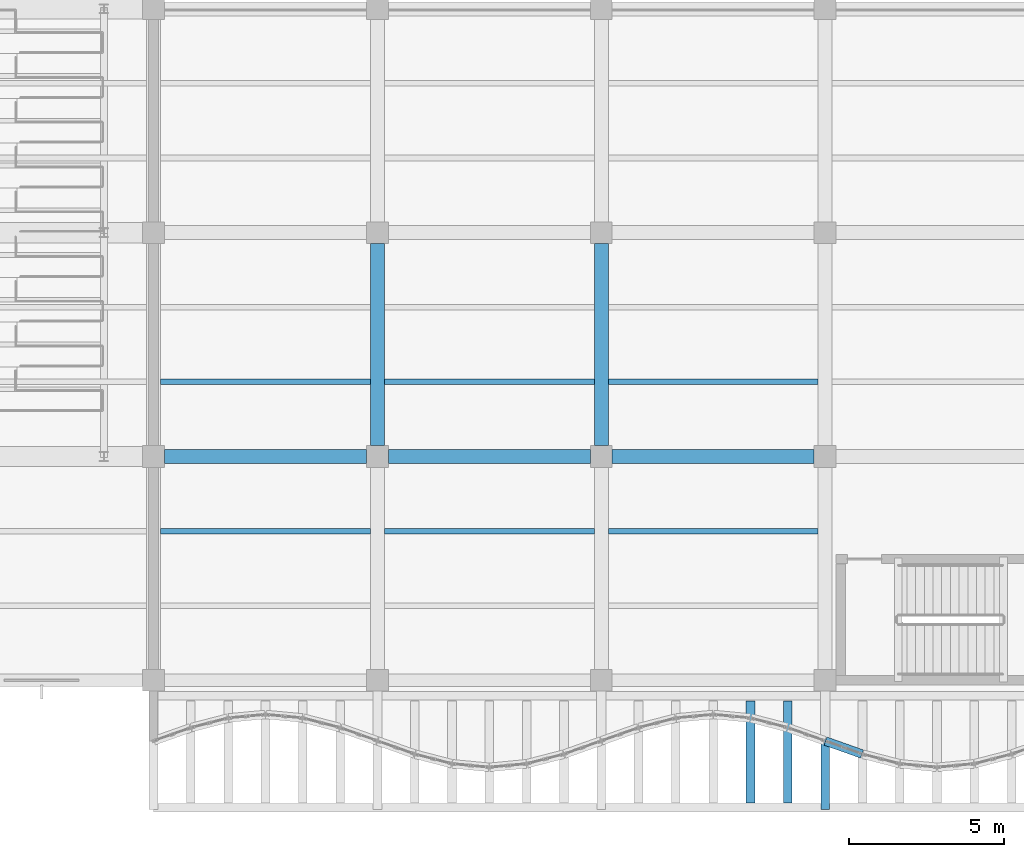
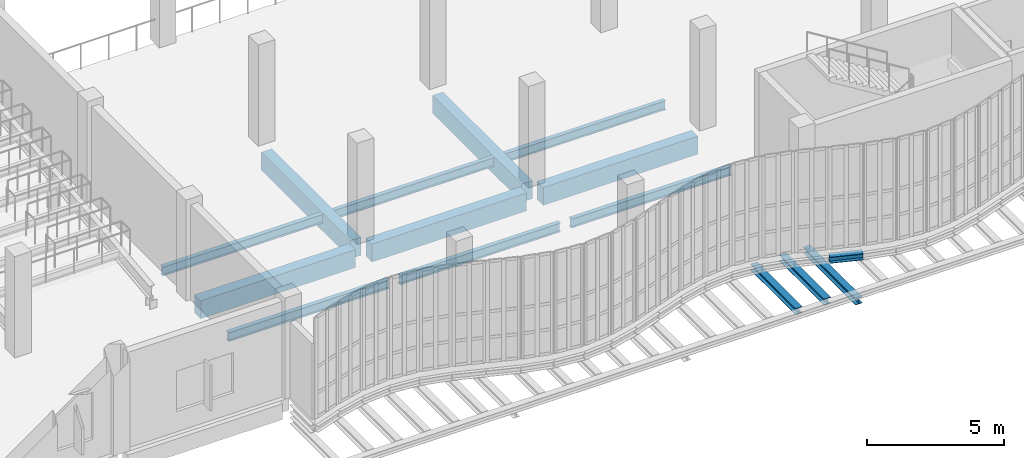
# One storey, part 15 of 108: 15 beams.
"""IFC4 building model written with IfcOpenShell, lengths in metres."""

from ifc_helpers import new_model, si_unit, direction, frame, origin, origin_2d, place, context, subcontext, project, spatial, rectangle, i_section, extrude, material, material_profile, profile_set, type_object, element, save


model = new_model("IFC4")

# Units and contexts
model_context = context("Model", 3, precision=1e-05, world=origin(), true_north=direction((0.0, 1.0)))
body_context = subcontext(model_context, "Body", "Model", "MODEL_VIEW")
ifc_project = project(units=[si_unit("LENGTHUNIT", "METRE"), si_unit("AREAUNIT", "SQUARE_METRE"), si_unit("VOLUMEUNIT", "CUBIC_METRE"), si_unit("PLANEANGLEUNIT", "RADIAN"), si_unit("MASSUNIT", "GRAM", prefix="KILO"), si_unit("THERMODYNAMICTEMPERATUREUNIT", "KELVIN"), si_unit("POWERUNIT", "WATT")], contexts=[model_context])

# Site, building, storey
site_placement = place(None, origin())
site = spatial("IfcSite", under=ifc_project, at=site_placement, CompositionType="ELEMENT")
building_placement = place(site_placement, origin())
building = spatial("IfcBuilding", under=site, at=building_placement, Name="Kaldorven Railside Theatre", CompositionType="ELEMENT")
storey_placement = place(building_placement, frame((0.0, 0.0, 5.39990234375)))
storey = spatial("IfcBuildingStorey", under=building, at=storey_placement, Name="L01", CompositionType="ELEMENT", Elevation=5.39990234375)

# Beams
ifc_material_1 = material(Name="Steel S355", Category="steel")
ifc_material_profile_1 = material_profile(ifc_material_1, i_section(OverallWidth=0.280029296875, OverallDepth=0.280029296875, WebThickness=0.010498046875, FlangeThickness=0.01806640625, at=origin_2d()), Name="HEB 280")
ifc_profile_set_1 = profile_set([ifc_material_profile_1], Name="Steel S355")
beam_type_1 = type_object("IfcBeamType", Name="BM-HEB280", PredefinedType="SPANDREL", material=ifc_profile_set_1)
beam_1_placement = place(storey_placement, frame((58.39990234375, 15.050048828125, -1.0), z_axis=(0.0, 1.0, 0.0), x_axis=(-1.0, 0.0, 0.0)))
element("IfcBeam", 1, at=beam_1_placement, inside=storey, type_object=beam_type_1, Name="L01 Sinusoidal Lower Cantilever Girder FOB-K004", PredefinedType="SPANDREL", context=body_context, shape_type="SweptSolid", body=[
    extrude(i_section(OverallWidth=0.280029296875, OverallDepth=0.280029296875, WebThickness=0.010498046875, FlangeThickness=0.01806640625, at=origin_2d()), origin(), (0.0, 0.0, 1.0), 3.800048828125),
])
for number, where, z_axis, x_axis, name in (
    (2, (56.0, 15.260009765625, -0.719970703125), (0.0, 1.0, 0.0), (-1.0, 0.0, 0.0), "L01 Sinusoidal Diaphragm Rib Outrigger FOB-M017"),
    (3, (57.199951171875, 15.260009765625, -0.719970703125), (0.0, 1.0, 0.0), (-1.0, 0.0, 0.0), "L01 Sinusoidal Diaphragm Rib Outrigger FOB-M018"),
):
    element("IfcBeam", number, at=place(storey_placement, frame(where, z_axis=z_axis, x_axis=x_axis)), inside=storey, type_object=beam_type_1, Name=name, PredefinedType="SPANDREL", context=body_context, shape_type="SweptSolid", body=[
        extrude(i_section(OverallWidth=0.280029296875, OverallDepth=0.280029296875, WebThickness=0.010498046875, FlangeThickness=0.01806640625, at=origin_2d()), origin(), (0.0, 0.0, 1.0), 3.280029296875),
    ])
beam_2_placement = place(storey_placement, frame((58.4140625, 17.2451171875, -0.43994140625), z_axis=(0.942627225161, -0.333847142245, 0.0), x_axis=(0.333847142245, 0.942627225161, 0.0)))
element("IfcBeam", 4, at=beam_2_placement, inside=storey, type_object=beam_type_1, Name="L01 Sinusoidal Flute Edge Spandrel FSB-019", PredefinedType="SPANDREL", context=body_context, shape_type="SweptSolid", body=[
    extrude(i_section(OverallWidth=0.280029296875, OverallDepth=0.280029296875, WebThickness=0.010498046875, FlangeThickness=0.01806640625, at=origin_2d()), origin(), (0.0, 0.0, 1.0), 1.2431640625),
])
ifc_material_profile_2 = material_profile(ifc_material_1, i_section(OverallWidth=0.179931640625, OverallDepth=0.39990234375, WebThickness=0.008544921875, FlangeThickness=0.013427734375, at=origin_2d()), Name="IPE 400")
ifc_profile_set_2 = profile_set([ifc_material_profile_2], Name="Steel S355")
beam_type_2 = type_object("IfcBeamType", Name="BM-IPE400", PredefinedType="JOIST", material=ifc_profile_set_2)
for number, where, z_axis, x_axis, name in (
    (5, (37.02490234375, 24.0, -0.5), (1.0, 0.0, 0.0), (0.0, 1.0, 0.0), "L01 Secondary Floor Joist JG-L01-036-0240"),
    (6, (44.22509765625, 24.0, -0.5), (1.0, 0.0, 0.0), (0.0, 1.0, 0.0), "L01 Secondary Floor Joist JG-L01-044-0240"),
    (7, (51.425048828125, 24.0, -0.5), (1.0, 0.0, 0.0), (0.0, 1.0, 0.0), "L01 Secondary Floor Joist JG-L01-051-0240"),
    (8, (37.02490234375, 28.800048828125, -0.5), (1.0, 0.0, 0.0), (0.0, 1.0, 0.0), "L01 Secondary Floor Joist JG-L01-036-0288"),
    (9, (44.22509765625, 28.800048828125, -0.5), (1.0, 0.0, 0.0), (0.0, 1.0, 0.0), "L01 Secondary Floor Joist JG-L01-044-0288"),
    (10, (51.425048828125, 28.800048828125, -0.5), (1.0, 0.0, 0.0), (0.0, 1.0, 0.0), "L01 Secondary Floor Joist JG-L01-051-0288"),
):
    element("IfcBeam", number, at=place(storey_placement, frame(where, z_axis=z_axis, x_axis=x_axis)), inside=storey, type_object=beam_type_2, Name=name, PredefinedType="JOIST", context=body_context, shape_type="SweptSolid", body=[
        extrude(i_section(OverallWidth=0.179931640625, OverallDepth=0.39990234375, WebThickness=0.008544921875, FlangeThickness=0.013427734375, at=origin_2d()), origin(), (0.0, 0.0, 1.0), 6.75),
    ])
ifc_material_2 = material(Name="Concrete C40/50", Category="concrete")
ifc_material_profile_3 = material_profile(ifc_material_2, rectangle(XDim=0.449951171875, YDim=0.800048828125, at=origin_2d()), Name="RC 450x800")
ifc_profile_set_3 = profile_set([ifc_material_profile_3], Name="Concrete C40/50")
beam_type_3 = type_object("IfcBeamType", Name="BM-RC450x800", PredefinedType="BEAM", material=ifc_profile_set_3)
for number, where, z_axis, x_axis, name in (
    (11, (37.14990234375, 26.39990234375, -0.699951171875), (1.0, 0.0, 0.0), (0.0, 1.0, 0.0), "L01 Girder BGX-L01-036-026"),
    (12, (44.35009765625, 26.39990234375, -0.699951171875), (1.0, 0.0, 0.0), (0.0, 1.0, 0.0), "L01 Girder BGX-L01-044-026"),
    (13, (44.0, 26.75, -0.699951171875), (0.0, 1.0, 0.0), (-1.0, 0.0, 0.0), "L01 Girder BGY-L01-044-026-72"),
    (14, (51.550048828125, 26.39990234375, -0.699951171875), (1.0, 0.0, 0.0), (0.0, 1.0, 0.0), "L01 Girder BGX-L01-051-026"),
    (15, (51.199951171875, 26.75, -0.699951171875), (0.0, 1.0, 0.0), (-1.0, 0.0, 0.0), "L01 Girder BGY-L01-051-026-72"),
):
    element("IfcBeam", number, at=place(storey_placement, frame(where, z_axis=z_axis, x_axis=x_axis)), inside=storey, type_object=beam_type_3, Name=name, PredefinedType="BEAM", context=body_context, shape_type="SweptSolid", body=[
        extrude(rectangle(XDim=0.449951171875, YDim=0.800048828125, at=origin_2d()), origin(), (0.0, 0.0, 1.0), 6.5),
    ])

save(model, "model.ifc")
